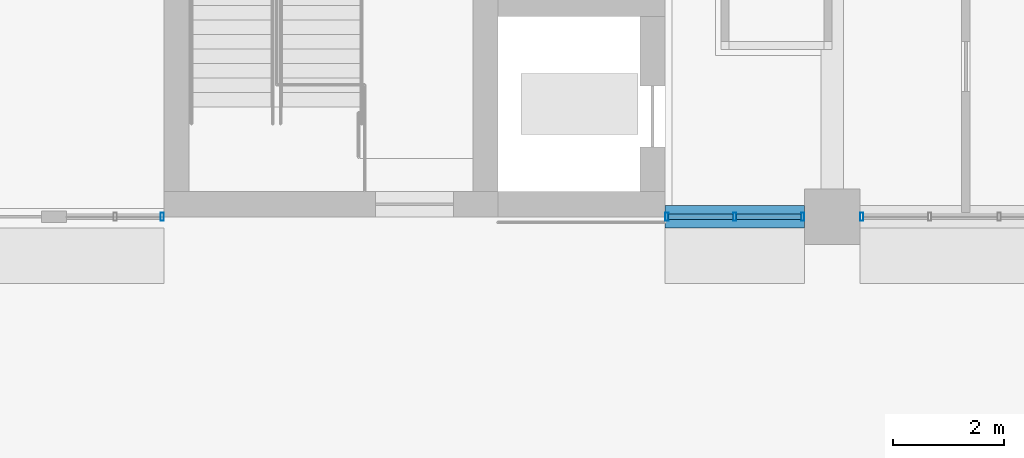
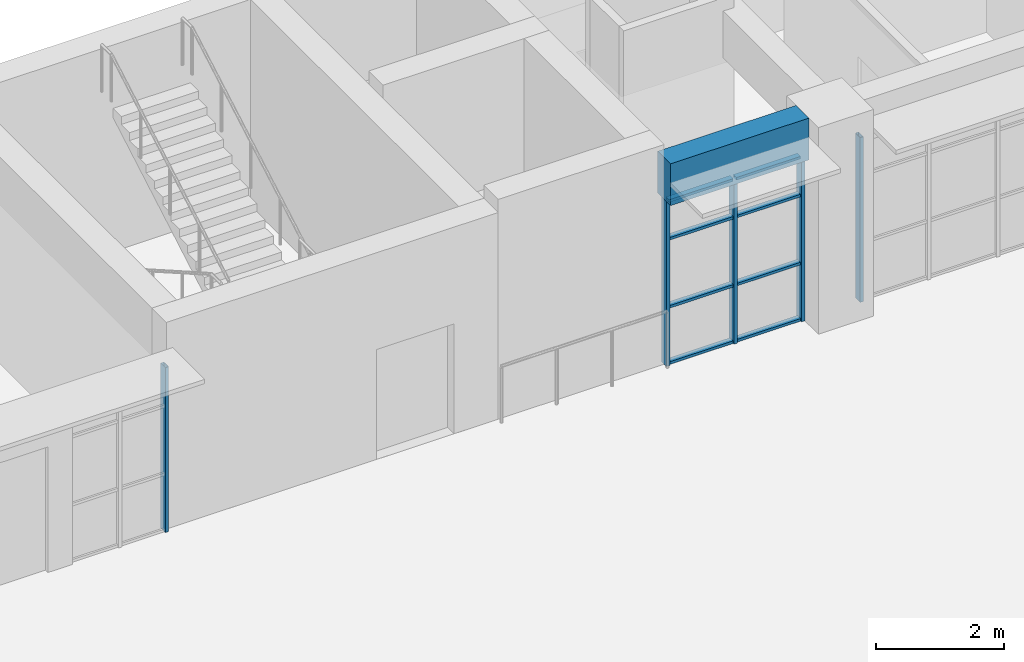
# One storey, part 26 of 103: 13 members, 1 beam, 3 elements without a shape of their own.
"""IFC4 building model written with IfcOpenShell, lengths in metres."""

from ifc_helpers import new_model, si_unit, direction, frame, origin, origin_2d, place, context, subcontext, project, spatial, rectangle, hollow_rectangle, extrude, material, material_profile, profile_set, type_object, element, aggregate, save


model = new_model("IFC4")

# Units and contexts
model_context = context("Model", 3, precision=1e-05, world=origin(), true_north=direction((0.0, 1.0)))
body_context = subcontext(model_context, "Body", "Model", "MODEL_VIEW")
ifc_project = project(units=[si_unit("LENGTHUNIT", "METRE"), si_unit("AREAUNIT", "SQUARE_METRE"), si_unit("VOLUMEUNIT", "CUBIC_METRE"), si_unit("PLANEANGLEUNIT", "RADIAN"), si_unit("MASSUNIT", "GRAM", prefix="KILO")], contexts=[model_context])

# Site, building, storey
site_placement = place(None, origin())
site = spatial("IfcSite", under=ifc_project, at=site_placement, CompositionType="ELEMENT")
building_placement = place(site_placement, origin())
building = spatial("IfcBuilding", under=site, at=building_placement, Name="Laocheng Heights Fire and Rescue Headquarters", CompositionType="ELEMENT")
storey_placement = place(building_placement, frame((0.0, 0.0, 4.199951171875)))
storey = spatial("IfcBuildingStorey", under=building, at=storey_placement, Name="L01", CompositionType="ELEMENT", Elevation=4.199951171875)

# Curtain wall, member
ifc_material_1 = material(Name="Dark anodised aluminium unitised curtain wall, low-e double glazing", Category="aluminium")
curtain_wall_type_1 = type_object("IfcCurtainWallType", Name="CW 1750 x 3150 HQ SOUTH RIBBON", PredefinedType="NOTDEFINED", material=ifc_material_1)
curtain_wall_1_placement = place(storey_placement, origin())
curtain_wall_1 = element("IfcCurtainWall", 1, at=curtain_wall_1_placement, inside=storey, type_object=curtain_wall_type_1, Name="X2-X HQ SOUTH L01", PredefinedType="NOTDEFINED")
ifc_material_2 = material(Name="Dark anodised aluminium 6063-T5 extrusion", Category="aluminium")
ifc_material_profile_1 = material_profile(ifc_material_2, hollow_rectangle(XDim=0.14990234375, YDim=0.06005859375, WallThickness=0.0029296875, at=origin_2d()), Name="AL MULLION 150x60x3 HQ SOUTH RIBBON")
ifc_profile_set_1 = profile_set([ifc_material_profile_1], Name="Dark anodised aluminium 6063-T5 extrusion")
member_type_1 = type_object("IfcMemberType", Name="AL MULLION 150x60x3 HQ SOUTH RIBBON", PredefinedType="MULLION", material=ifc_profile_set_1)
member_1_placement = place(storey_placement, frame((41.969970703125, 50.39990234375, 0.0), z_axis=(0.0, 0.0, 1.0), x_axis=(0.0, 1.0, 0.0)))
member_1 = element("IfcMember", 2, at=member_1_placement, type_object=member_type_1, Name="X2-X mullion 3", PredefinedType="MULLION", context=body_context, shape_type="SweptSolid", body=[
    extrude(hollow_rectangle(XDim=0.14990234375, YDim=0.06005859375, WallThickness=0.0029296875, at=origin_2d()), origin(), (0.0, 0.0, 1.0), 3.150146484375),
])
aggregate(curtain_wall_1, [member_1])

# Curtain wall, members
ifc_material_3 = material(Name="Dark anodised aluminium unitised curtain wall, low-e double glazing", Category="aluminium")
curtain_wall_type_2 = type_object("IfcCurtainWallType", Name="CW 2500 x 3150 HQ SOUTH RIBBON", PredefinedType="NOTDEFINED", material=ifc_material_3)
curtain_wall_2_placement = place(storey_placement, origin())
curtain_wall_2 = element("IfcCurtainWall", 3, at=curtain_wall_2_placement, inside=storey, type_object=curtain_wall_type_2, Name="X3-X HQ SOUTH L01", PredefinedType="NOTDEFINED")
member_2_placement = place(storey_placement, frame((51.030029296875, 50.39990234375, 0.0), z_axis=(0.0, 0.0, 1.0), x_axis=(0.0, 1.0, 0.0)))
member_2 = element("IfcMember", 4, at=member_2_placement, type_object=member_type_1, Name="X3-X mullion 1", PredefinedType="MULLION", context=body_context, shape_type="SweptSolid", body=[
    extrude(hollow_rectangle(XDim=0.14990234375, YDim=0.06005859375, WallThickness=0.0029296875, at=origin_2d()), origin(), (0.0, 0.0, 1.0), 3.150146484375),
])
member_3_placement = place(storey_placement, frame((52.25, 50.39990234375, 0.0), z_axis=(0.0, 0.0, 1.0), x_axis=(0.0, 1.0, 0.0)))
member_3 = element("IfcMember", 5, at=member_3_placement, type_object=member_type_1, Name="X3-X mullion 2", PredefinedType="MULLION", context=body_context, shape_type="SweptSolid", body=[
    extrude(hollow_rectangle(XDim=0.14990234375, YDim=0.06005859375, WallThickness=0.0029296875, at=origin_2d()), origin(), (0.0, 0.0, 1.0), 3.150146484375),
])
member_4_placement = place(storey_placement, frame((53.469970703125, 50.39990234375, 0.0), z_axis=(0.0, 0.0, 1.0), x_axis=(0.0, 1.0, 0.0)))
member_4 = element("IfcMember", 6, at=member_4_placement, type_object=member_type_1, Name="X3-X mullion 3", PredefinedType="MULLION", context=body_context, shape_type="SweptSolid", body=[
    extrude(hollow_rectangle(XDim=0.14990234375, YDim=0.06005859375, WallThickness=0.0029296875, at=origin_2d()), origin(), (0.0, 0.0, 1.0), 3.150146484375),
])

# Curtain wall, member
ifc_material_4 = material(Name="Dark anodised aluminium unitised curtain wall, low-e double glazing", Category="aluminium")
curtain_wall_type_3 = type_object("IfcCurtainWallType", Name="CW 5000 x 3150 HQ SOUTH RIBBON", PredefinedType="NOTDEFINED", material=ifc_material_4)
curtain_wall_3_placement = place(storey_placement, origin())
curtain_wall_3 = element("IfcCurtainWall", 7, at=curtain_wall_3_placement, inside=storey, type_object=curtain_wall_type_3, Name="X4-X HQ SOUTH L01", PredefinedType="NOTDEFINED")
member_5_placement = place(storey_placement, frame((54.530029296875, 50.39990234375, 0.0), z_axis=(0.0, 0.0, 1.0), x_axis=(0.0, 1.0, 0.0)))
member_5 = element("IfcMember", 8, at=member_5_placement, type_object=member_type_1, Name="X4-X mullion 1", PredefinedType="MULLION", context=body_context, shape_type="SweptSolid", body=[
    extrude(hollow_rectangle(XDim=0.14990234375, YDim=0.06005859375, WallThickness=0.0029296875, at=origin_2d()), origin(), (0.0, 0.0, 1.0), 3.150146484375),
])
aggregate(curtain_wall_3, [member_5])

# Member
ifc_material_5 = material(Name="Dark anodised aluminium 6063-T5 extrusion", Category="aluminium")
ifc_material_profile_2 = material_profile(ifc_material_5, hollow_rectangle(XDim=0.10009765625, YDim=0.050048828125, WallThickness=0.0029296875, at=origin_2d()), Name="AL TRANSOM 100x50x3 HQ SOUTH RIBBON")
ifc_profile_set_2 = profile_set([ifc_material_profile_2], Name="Dark anodised aluminium 6063-T5 extrusion")
member_type_2 = type_object("IfcMemberType", Name="AL TRANSOM 100x50x3 HQ SOUTH RIBBON", PredefinedType="USERDEFINED", material=ifc_profile_set_2)
member_6_placement = place(storey_placement, frame((51.06005859375, 50.39990234375, 0.025146484375), z_axis=(1.0, 0.0, 0.0), x_axis=(0.0, 1.0, 0.0)))
member_6 = element("IfcMember", 9, at=member_6_placement, type_object=member_type_2, Name="X3-X transom 1.1", ObjectType="TRANSOM", PredefinedType="USERDEFINED", context=body_context, shape_type="SweptSolid", body=[
    extrude(hollow_rectangle(XDim=0.10009765625, YDim=0.050048828125, WallThickness=0.0029296875, at=origin_2d()), origin(), (0.0, 0.0, 1.0), 1.159912109375),
])

member_7_placement = place(storey_placement, frame((51.06005859375, 50.39990234375, 1.10009765625), z_axis=(1.0, 0.0, 0.0), x_axis=(0.0, 1.0, 0.0)))
member_7 = element("IfcMember", 10, at=member_7_placement, type_object=member_type_2, Name="X3-X transom 1.2", ObjectType="TRANSOM", PredefinedType="USERDEFINED", context=body_context, shape_type="SweptSolid", body=[
    extrude(hollow_rectangle(XDim=0.10009765625, YDim=0.050048828125, WallThickness=0.0029296875, at=origin_2d()), origin(), (0.0, 0.0, 1.0), 1.159912109375),
])

member_8_placement = place(storey_placement, frame((51.06005859375, 50.39990234375, 2.400146484375), z_axis=(1.0, 0.0, 0.0), x_axis=(0.0, 1.0, 0.0)))
member_8 = element("IfcMember", 11, at=member_8_placement, type_object=member_type_2, Name="X3-X transom 1.3", ObjectType="TRANSOM", PredefinedType="USERDEFINED", context=body_context, shape_type="SweptSolid", body=[
    extrude(hollow_rectangle(XDim=0.10009765625, YDim=0.050048828125, WallThickness=0.0029296875, at=origin_2d()), origin(), (0.0, 0.0, 1.0), 1.159912109375),
])

member_9_placement = place(storey_placement, frame((51.06005859375, 50.39990234375, 3.125), z_axis=(1.0, 0.0, 0.0), x_axis=(0.0, 1.0, 0.0)))
member_9 = element("IfcMember", 12, at=member_9_placement, type_object=member_type_2, Name="X3-X transom 1.4", ObjectType="TRANSOM", PredefinedType="USERDEFINED", context=body_context, shape_type="SweptSolid", body=[
    extrude(hollow_rectangle(XDim=0.10009765625, YDim=0.050048828125, WallThickness=0.0029296875, at=origin_2d()), origin(), (0.0, 0.0, 1.0), 1.159912109375),
])

member_10_placement = place(storey_placement, frame((52.280029296875, 50.39990234375, 0.025146484375), z_axis=(1.0, 0.0, 0.0), x_axis=(0.0, 1.0, 0.0)))
member_10 = element("IfcMember", 13, at=member_10_placement, type_object=member_type_2, Name="X3-X transom 2.1", ObjectType="TRANSOM", PredefinedType="USERDEFINED", context=body_context, shape_type="SweptSolid", body=[
    extrude(hollow_rectangle(XDim=0.10009765625, YDim=0.050048828125, WallThickness=0.0029296875, at=origin_2d()), origin(), (0.0, 0.0, 1.0), 1.159912109375),
])

member_11_placement = place(storey_placement, frame((52.280029296875, 50.39990234375, 1.10009765625), z_axis=(1.0, 0.0, 0.0), x_axis=(0.0, 1.0, 0.0)))
member_11 = element("IfcMember", 14, at=member_11_placement, type_object=member_type_2, Name="X3-X transom 2.2", ObjectType="TRANSOM", PredefinedType="USERDEFINED", context=body_context, shape_type="SweptSolid", body=[
    extrude(hollow_rectangle(XDim=0.10009765625, YDim=0.050048828125, WallThickness=0.0029296875, at=origin_2d()), origin(), (0.0, 0.0, 1.0), 1.159912109375),
])

member_12_placement = place(storey_placement, frame((52.280029296875, 50.39990234375, 2.400146484375), z_axis=(1.0, 0.0, 0.0), x_axis=(0.0, 1.0, 0.0)))
member_12 = element("IfcMember", 15, at=member_12_placement, type_object=member_type_2, Name="X3-X transom 2.3", ObjectType="TRANSOM", PredefinedType="USERDEFINED", context=body_context, shape_type="SweptSolid", body=[
    extrude(hollow_rectangle(XDim=0.10009765625, YDim=0.050048828125, WallThickness=0.0029296875, at=origin_2d()), origin(), (0.0, 0.0, 1.0), 1.159912109375),
])

member_13_placement = place(storey_placement, frame((52.280029296875, 50.39990234375, 3.125), z_axis=(1.0, 0.0, 0.0), x_axis=(0.0, 1.0, 0.0)))
member_13 = element("IfcMember", 16, at=member_13_placement, type_object=member_type_2, Name="X3-X transom 2.4", ObjectType="TRANSOM", PredefinedType="USERDEFINED", context=body_context, shape_type="SweptSolid", body=[
    extrude(hollow_rectangle(XDim=0.10009765625, YDim=0.050048828125, WallThickness=0.0029296875, at=origin_2d()), origin(), (0.0, 0.0, 1.0), 1.159912109375),
])

aggregate(curtain_wall_2, [member_2, member_3, member_4, member_6, member_7, member_8, member_9, member_10, member_11, member_12, member_13])

# Beam
ifc_material_6 = material(Name="Concrete C40", Category="concrete")
ifc_material_profile_3 = material_profile(ifc_material_6, rectangle(XDim=0.39990234375, YDim=0.800048828125, at=origin_2d()), Name="RC BEAM 400x800 HQ")
ifc_profile_set_3 = profile_set([ifc_material_profile_3], Name="Concrete C40")
beam_type = type_object("IfcBeamType", Name="RC BEAM 400x800 HQ", PredefinedType="BEAM", material=ifc_profile_set_3)
beam_placement = place(storey_placement, frame((51.0, 50.39990234375, 3.550048828125), z_axis=(1.0, 0.0, 0.0), x_axis=(0.0, 1.0, 0.0)))
element("IfcBeam", 17, at=beam_placement, inside=storey, type_object=beam_type, Name="HQ beam L01", PredefinedType="BEAM", context=body_context, shape_type="SweptSolid", body=[
    extrude(rectangle(XDim=0.39990234375, YDim=0.800048828125, at=origin_2d()), origin(), (0.0, 0.0, 1.0), 2.5),
])

save(model, "model.ifc")
